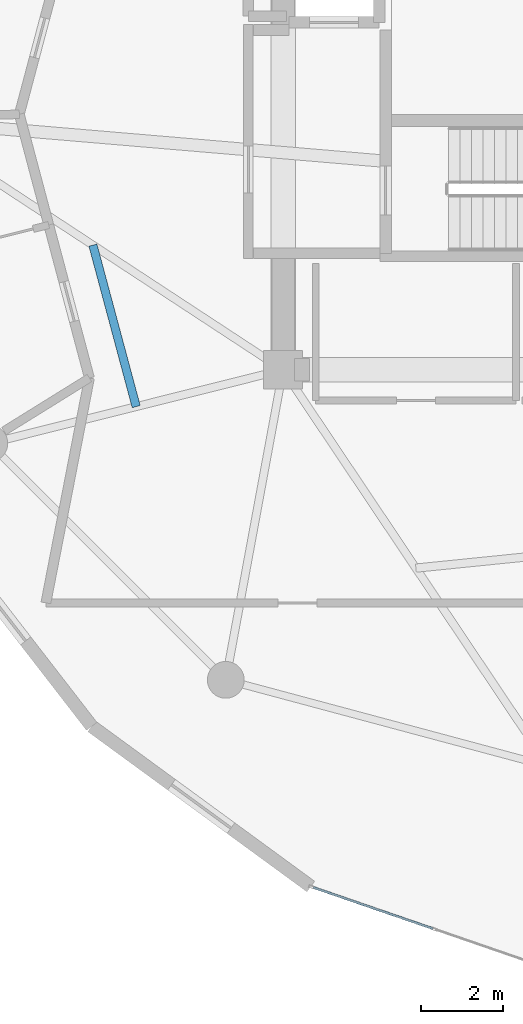
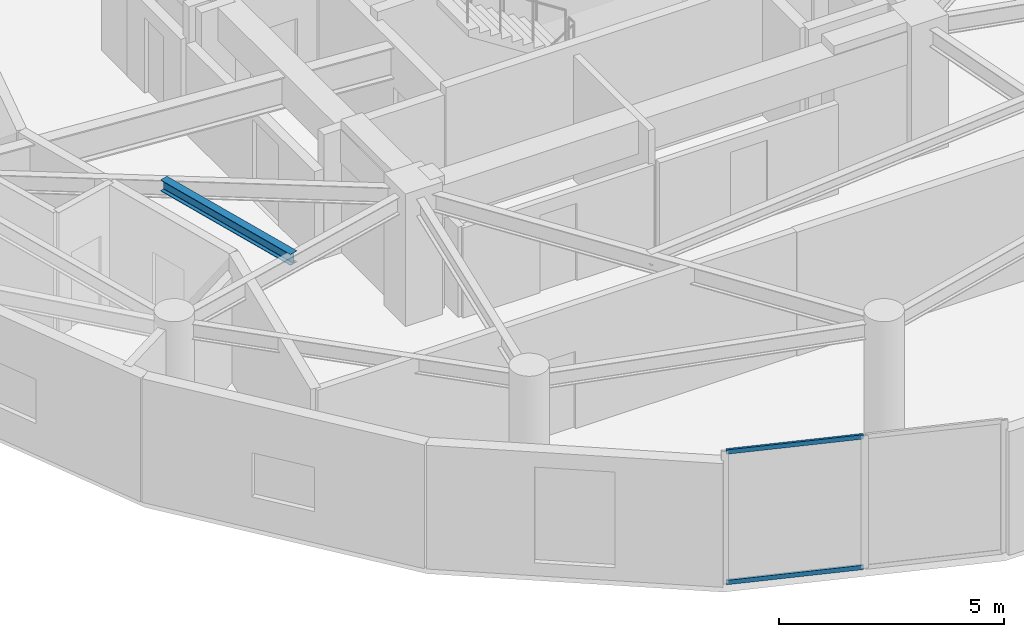
# One storey, part 3 of 17: 2 members, 1 beam, 1 element without a shape of its own.
"""IFC4 building model written with IfcOpenShell, lengths in metres."""

from ifc_helpers import new_model, si_unit, direction, frame, origin, origin_2d, place, context, subcontext, project, spatial, hollow_rectangle, i_section, extrude, source, transform, mapped, material, layer, layer_set, material_profile, profile_set, type_object, element, aggregate, save


model = new_model("IFC4")

# Units and contexts
model_context = context("Model", 3, precision=1e-05, world=origin(), true_north=direction((0.0, 1.0)))
body_context = subcontext(model_context, "Body", "Model", "MODEL_VIEW")
ifc_project = project(units=[si_unit("LENGTHUNIT", "METRE"), si_unit("AREAUNIT", "SQUARE_METRE"), si_unit("VOLUMEUNIT", "CUBIC_METRE"), si_unit("PLANEANGLEUNIT", "RADIAN"), si_unit("MASSUNIT", "GRAM", prefix="KILO")], contexts=[model_context])

# Site, building, storey
site_placement = place(None, origin())
site = spatial("IfcSite", under=ifc_project, at=site_placement, CompositionType="ELEMENT")
building_placement = place(site_placement, origin())
building = spatial("IfcBuilding", under=site, at=building_placement, Name="Solvirekh Grand Hotel", CompositionType="ELEMENT")
storey_placement = place(building_placement, frame((0.0, 0.0, 191.199951171875)))
storey = spatial("IfcBuildingStorey", under=building, at=storey_placement, Name="L49", CompositionType="ELEMENT", Elevation=191.199951171875)

# Beam
ifc_material_1 = material(Name="Steel S355", Category="steel")
ifc_material_profile_1 = material_profile(ifc_material_1, i_section(OverallWidth=0.202880859375, OverallDepth=0.302978515625, WebThickness=0.008056640625, FlangeThickness=0.012939453125, FilletRadius=0.010009765625, at=origin_2d()), Name="W310X60")
ifc_profile_set_1 = profile_set([ifc_material_profile_1], Name="Steel S355")
beam_type = type_object("IfcBeamType", Name="Joist_Floor_W310", PredefinedType="JOIST", material=ifc_profile_set_1)
beam_placement = place(storey_placement, frame((-11.14990234375, -3.050048828125, 3.208984375), z_axis=(0.25892209236, -0.965898208968, 0.0), x_axis=(0.965898208968, 0.25892209236, 0.0)))
element("IfcBeam", 1, at=beam_placement, inside=storey, type_object=beam_type, Name="L49 secondary composite floor joist 7", PredefinedType="JOIST", context=body_context, shape_type="SweptSolid", body=[
    extrude(i_section(OverallWidth=0.202880859375, OverallDepth=0.302978515625, WebThickness=0.008056640625, FlangeThickness=0.012939453125, FilletRadius=0.010009765625, at=origin_2d()), origin(), (0.0, 0.0, 1.0), 4.08935546875),
])

# Curtain wall, members
ifc_material_2 = material(Name="Anodized Bronze Aluminium 6063-T6", Category="aluminium")
ifc_layer = layer(ifc_material_2, 0.159912109375)
ifc_layer_set = layer_set([ifc_layer], Name="Anodized Bronze Aluminium 6063-T6")
curtain_wall_type = type_object("IfcCurtainWallType", Name="CW_Sys4_HighZoneFlushBronzeCW", PredefinedType="NOTDEFINED", material=ifc_layer_set)
curtain_wall_placement = place(storey_placement, origin())
curtain_wall = element("IfcCurtainWall", 2, at=curtain_wall_placement, inside=storey, type_object=curtain_wall_type, Name="L49 unitised bronze-glass curtain wall CW-L49-C18", PredefinedType="NOTDEFINED")
ifc_material_profile_2 = material_profile(ifc_material_2, hollow_rectangle(XDim=0.054931640625, YDim=0.1201171875, WallThickness=0.00390625, at=origin_2d()), Name="ALU RHS 120X55X4")
ifc_profile_set_2 = profile_set([ifc_material_profile_2], Name="Anodized Bronze Aluminium 6063-T6")
member_type = type_object("IfcMemberType", Name="CWTransom_Sys4", PredefinedType="USERDEFINED", material=ifc_profile_set_2)
shared_shape = source(origin(), body_context, "Body", "SweptSolid", [
    extrude(hollow_rectangle(XDim=0.054931640625, YDim=0.1201171875, WallThickness=0.00390625, at=origin_2d()), origin(), (0.0, 0.0, 1.0), 3.1044921875),
])
member_1_placement = place(storey_placement, frame((-5.765380859375, -18.757568359375, 0.027587890625), z_axis=(0.945409746694, -0.325884045109, 0.0), x_axis=(0.325884045109, 0.945409746694, 0.0)))
member_1 = element("IfcMember", 3, at=member_1_placement, type_object=member_type, Name="U04 transom 1.1", ObjectType="TRANSOM", PredefinedType="USERDEFINED", context=body_context, shape_type="MappedRepresentation", body=[
    mapped(shared_shape, transform((0.0, 0.0, 0.0), x_axis=(1.0, 0.0, 0.0), y_axis=(0.0, 1.0, 0.0), z_axis=(0.0, 0.0, 1.0), scale=1.0)),
])
member_2_placement = place(storey_placement, frame((-5.765380859375, -18.757568359375, 3.572509765625), z_axis=(0.945409746694, -0.325884045109, 0.0), x_axis=(0.325884045109, 0.945409746694, 0.0)))
member_2 = element("IfcMember", 4, at=member_2_placement, type_object=member_type, Name="U04 transom 1.2", ObjectType="TRANSOM", PredefinedType="USERDEFINED", context=body_context, shape_type="MappedRepresentation", body=[
    mapped(shared_shape, transform((0.0, 0.0, 0.0), x_axis=(1.0, 0.0, 0.0), y_axis=(0.0, 1.0, 0.0), z_axis=(0.0, 0.0, 1.0), scale=1.0)),
])
aggregate(curtain_wall, [member_1, member_2])

save(model, "model.ifc")
